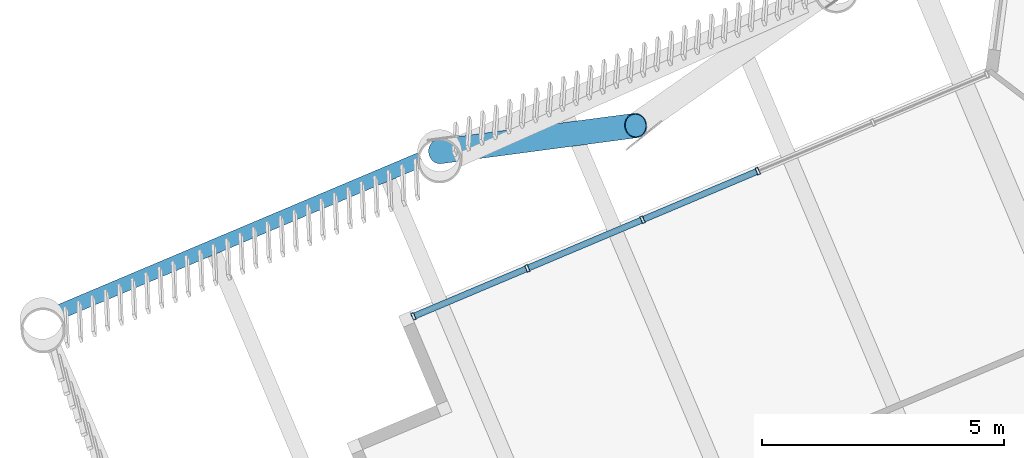
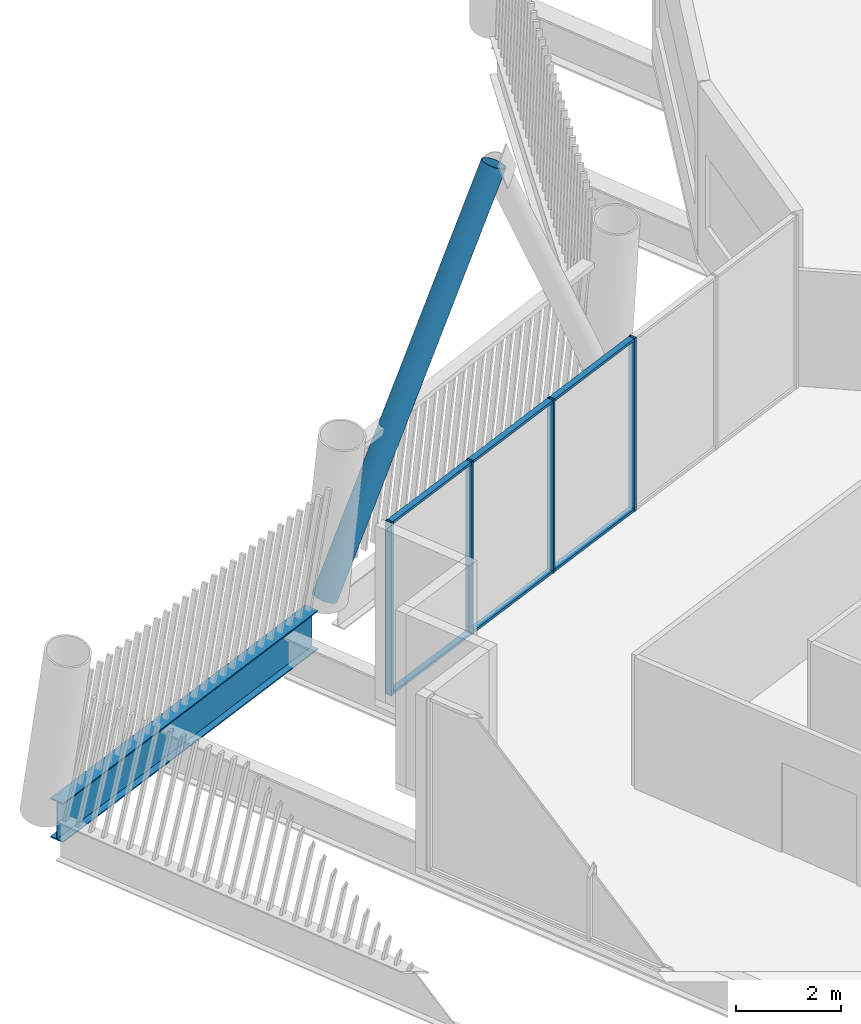
# One storey, part 12 of 35: 11 members, 1 beam, 1 element without a shape of its own.
"""IFC4 building model written with IfcOpenShell, lengths in metres."""

from ifc_helpers import new_model, si_unit, direction, frame, origin, origin_2d, place, context, subcontext, project, spatial, hollow_rectangle, hollow_circle, i_section, extrude, material, layer, layer_set, material_profile, profile_set, type_object, element, aggregate, save


model = new_model("IFC4")

# Units and contexts
model_context = context("Model", 3, precision=1e-05, world=origin(), true_north=direction((0.0, 1.0)))
body_context = subcontext(model_context, "Body", "Model", "MODEL_VIEW")
ifc_project = project(units=[si_unit("LENGTHUNIT", "METRE"), si_unit("AREAUNIT", "SQUARE_METRE"), si_unit("VOLUMEUNIT", "CUBIC_METRE"), si_unit("PLANEANGLEUNIT", "RADIAN"), si_unit("MASSUNIT", "GRAM", prefix="KILO")], contexts=[model_context])

# Site, building, storey
site_placement = place(None, origin())
site = spatial("IfcSite", under=ifc_project, at=site_placement, CompositionType="ELEMENT")
building_placement = place(site_placement, origin())
building = spatial("IfcBuilding", under=site, at=building_placement, Name="Tarsis Ring Headquarters", CompositionType="ELEMENT")
storey_placement = place(building_placement, frame((0.0, 0.0, 377.60009765625)))
storey = spatial("IfcBuildingStorey", under=building, at=storey_placement, Name="L89", CompositionType="ELEMENT", Elevation=377.60009765625)

# Curtain wall, members
ifc_material_1 = material(Name="Aluminium curtain wall", Category="aluminium")
ifc_layer = layer(ifc_material_1, 0.14990234375)
ifc_layer_set = layer_set([ifc_layer], Name="Curtain wall tower unit")
curtain_wall_type = type_object("IfcCurtainWallType", Name="Curtain wall tower unit", PredefinedType="NOTDEFINED", material=ifc_layer_set)
curtain_wall_placement = place(storey_placement, origin())
curtain_wall = element("IfcCurtainWall", 1, at=curtain_wall_placement, inside=storey, type_object=curtain_wall_type, Name="Curtain wall L89-31", PredefinedType="NOTDEFINED")
ifc_material_2 = material(Name="Aluminium mullion", Category="aluminium")
ifc_material_profile_1 = material_profile(ifc_material_2, hollow_rectangle(XDim=0.14990234375, YDim=0.06005859375, WallThickness=0.0048828125, at=origin_2d()), Name="RHS 150x60x5")
ifc_profile_set_1 = profile_set([ifc_material_profile_1], Name="Aluminium mullion")
member_type_1 = type_object("IfcMemberType", Name="Curtain wall mullion tower unit RHS 150x60x5", PredefinedType="MULLION", material=ifc_profile_set_1)
member_1_placement = place(storey_placement, frame((-30.422607421875, 0.050537109375, 0.0), z_axis=(0.0, 0.0, 1.0), x_axis=(0.388802460899, -0.921321141838, 0.0)))
member_1 = element("IfcMember", 2, at=member_1_placement, type_object=member_type_1, Name="CW-T mullion 3", PredefinedType="MULLION", context=body_context, shape_type="SweptSolid", body=[
    extrude(hollow_rectangle(XDim=0.14990234375, YDim=0.06005859375, WallThickness=0.0048828125, at=origin_2d()), origin(), (0.0, 0.0, 1.0), 4.039794921875),
])
member_2_placement = place(storey_placement, frame((-32.7998046875, -0.95263671875, 0.0), z_axis=(0.0, 0.0, 1.0), x_axis=(0.388802460899, -0.921321141838, 0.0)))
member_2 = element("IfcMember", 3, at=member_2_placement, type_object=member_type_1, Name="CW-T mullion 4", PredefinedType="MULLION", context=body_context, shape_type="SweptSolid", body=[
    extrude(hollow_rectangle(XDim=0.14990234375, YDim=0.06005859375, WallThickness=0.0048828125, at=origin_2d()), origin(), (0.0, 0.0, 1.0), 4.039794921875),
])
member_3_placement = place(storey_placement, frame((-35.177001953125, -1.955810546875, 0.0), z_axis=(0.0, 0.0, 1.0), x_axis=(0.388802460899, -0.921321141838, 0.0)))
member_3 = element("IfcMember", 4, at=member_3_placement, type_object=member_type_1, Name="CW-T mullion 5", PredefinedType="MULLION", context=body_context, shape_type="SweptSolid", body=[
    extrude(hollow_rectangle(XDim=0.14990234375, YDim=0.06005859375, WallThickness=0.0048828125, at=origin_2d()), origin(), (0.0, 0.0, 1.0), 4.039794921875),
])
member_4_placement = place(storey_placement, frame((-37.526611328125, -2.947265625, 0.0), z_axis=(0.0, 0.0, 1.0), x_axis=(0.388802460899, -0.921321141838, 0.0)))
member_4 = element("IfcMember", 5, at=member_4_placement, type_object=member_type_1, Name="CW-T mullion 6", PredefinedType="MULLION", context=body_context, shape_type="SweptSolid", body=[
    extrude(hollow_rectangle(XDim=0.14990234375, YDim=0.06005859375, WallThickness=0.0048828125, at=origin_2d()), origin(), (0.0, 0.0, 1.0), 4.039794921875),
])
ifc_material_3 = material(Name="Aluminium transom", Category="aluminium")
ifc_material_profile_2 = material_profile(ifc_material_3, hollow_rectangle(XDim=0.1298828125, YDim=0.06005859375, WallThickness=0.0048828125, at=origin_2d()), Name="RHS 130x60x5")
ifc_profile_set_2 = profile_set([ifc_material_profile_2], Name="Aluminium transom")
member_type_2 = type_object("IfcMemberType", Name="Curtain wall transom tower unit RHS 130x60x5", PredefinedType="USERDEFINED", material=ifc_profile_set_2)
member_5_placement = place(storey_placement, frame((-30.4501953125, 0.0390625, 0.02978515625), z_axis=(-0.921310488371, -0.388827704797, 0.0), x_axis=(0.388827704797, -0.921310488371, 0.0)))
member_5 = element("IfcMember", 6, at=member_5_placement, type_object=member_type_2, Name="CW-T transom 3.1", ObjectType="TRANSOM", PredefinedType="USERDEFINED", context=body_context, shape_type="SweptSolid", body=[
    extrude(hollow_rectangle(XDim=0.1298828125, YDim=0.06005859375, WallThickness=0.0048828125, at=origin_2d()), origin(), (0.0, 0.0, 1.0), 2.520263671875),
])
member_6_placement = place(storey_placement, frame((-30.4501953125, 0.0390625, 4.010009765625), z_axis=(-0.921310488371, -0.388827704797, 0.0), x_axis=(0.388827704797, -0.921310488371, 0.0)))
member_6 = element("IfcMember", 7, at=member_6_placement, type_object=member_type_2, Name="CW-T transom 3.2", ObjectType="TRANSOM", PredefinedType="USERDEFINED", context=body_context, shape_type="SweptSolid", body=[
    extrude(hollow_rectangle(XDim=0.1298828125, YDim=0.06005859375, WallThickness=0.0048828125, at=origin_2d()), origin(), (0.0, 0.0, 1.0), 2.520263671875),
])
member_7_placement = place(storey_placement, frame((-32.827392578125, -0.96435546875, 0.02978515625), z_axis=(-0.921345187093, -0.388745477427, 0.0), x_axis=(0.388745477427, -0.921345187093, 0.0)))
member_7 = element("IfcMember", 8, at=member_7_placement, type_object=member_type_2, Name="CW-T transom 4.1", ObjectType="TRANSOM", PredefinedType="USERDEFINED", context=body_context, shape_type="SweptSolid", body=[
    extrude(hollow_rectangle(XDim=0.1298828125, YDim=0.06005859375, WallThickness=0.0048828125, at=origin_2d()), origin(), (0.0, 0.0, 1.0), 2.520263671875),
])
member_8_placement = place(storey_placement, frame((-32.827392578125, -0.96435546875, 4.010009765625), z_axis=(-0.921345187093, -0.388745477427, 0.0), x_axis=(0.388745477427, -0.921345187093, 0.0)))
member_8 = element("IfcMember", 9, at=member_8_placement, type_object=member_type_2, Name="CW-T transom 4.2", ObjectType="TRANSOM", PredefinedType="USERDEFINED", context=body_context, shape_type="SweptSolid", body=[
    extrude(hollow_rectangle(XDim=0.1298828125, YDim=0.06005859375, WallThickness=0.0048828125, at=origin_2d()), origin(), (0.0, 0.0, 1.0), 2.520263671875),
])
member_9_placement = place(storey_placement, frame((-35.20458984375, -1.967529296875, 0.02978515625), z_axis=(-0.921356480327, -0.388718710842, 0.0), x_axis=(0.388718710842, -0.921356480327, 0.0)))
member_9 = element("IfcMember", 10, at=member_9_placement, type_object=member_type_2, Name="CW-T transom 5.1", ObjectType="TRANSOM", PredefinedType="USERDEFINED", context=body_context, shape_type="SweptSolid", body=[
    extrude(hollow_rectangle(XDim=0.1298828125, YDim=0.06005859375, WallThickness=0.0048828125, at=origin_2d()), origin(), (0.0, 0.0, 1.0), 2.490234375),
])
member_10_placement = place(storey_placement, frame((-35.20458984375, -1.967529296875, 4.010009765625), z_axis=(-0.921356480327, -0.388718710842, 0.0), x_axis=(0.388718710842, -0.921356480327, 0.0)))
member_10 = element("IfcMember", 11, at=member_10_placement, type_object=member_type_2, Name="CW-T transom 5.2", ObjectType="TRANSOM", PredefinedType="USERDEFINED", context=body_context, shape_type="SweptSolid", body=[
    extrude(hollow_rectangle(XDim=0.1298828125, YDim=0.06005859375, WallThickness=0.0048828125, at=origin_2d()), origin(), (0.0, 0.0, 1.0), 2.490234375),
])
aggregate(curtain_wall, [member_1, member_2, member_3, member_4, member_5, member_6, member_7, member_8, member_9, member_10])

# Member
ifc_material_4 = material(Name="Structural steel S355", Category="steel")
ifc_material_profile_3 = material_profile(ifc_material_4, hollow_circle(Radius=0.25390625, WallThickness=0.02001953125, at=origin_2d()), Name="CHS 508x20")
ifc_profile_set_3 = profile_set([ifc_material_profile_3], Name="Structural steel S355")
member_type_3 = type_object("IfcMemberType", Name="XD X brace CHS 508x20", PredefinedType="BRACE", material=ifc_profile_set_3)
member_11_placement = place(storey_placement, frame((-36.985107421875, 0.4560546875, 0.0), z_axis=(0.432998293926, 0.057363580513, 0.89956761674), x_axis=(-0.13133243253, 0.99133838429, 0.0)))
element("IfcMember", 12, at=member_11_placement, inside=storey, type_object=member_type_3, Name="X brace XD2", PredefinedType="BRACE", context=body_context, shape_type="SweptSolid", body=[
    extrude(hollow_circle(Radius=0.25390625, WallThickness=0.02001953125, at=origin_2d()), origin(), (0.0, 0.0, 1.0), 9.337646484375),
])

# Beam
ifc_material_profile_4 = material_profile(ifc_material_4, i_section(OverallWidth=0.3046875, OverallDepth=0.91943359375, WebThickness=0.017333984375, FlangeThickness=0.02783203125, at=origin_2d()), Name="W36x170")
ifc_profile_set_4 = profile_set([ifc_material_profile_4], Name="Structural steel S355")
beam_type = type_object("IfcBeamType", Name="XG Ring girder W36x170", PredefinedType="BEAM", material=ifc_profile_set_4)
beam_placement = place(storey_placement, frame((-37.364013671875, 0.296142578125, -0.4599609375), z_axis=(-0.92131596168, -0.388814735772, 0.0), x_axis=(0.388814735772, -0.92131596168, 0.0)))
element("IfcBeam", 13, at=beam_placement, inside=storey, type_object=beam_type, Name="Ring girder XG4", PredefinedType="BEAM", context=body_context, shape_type="SweptSolid", body=[
    extrude(i_section(OverallWidth=0.3046875, OverallDepth=0.91943359375, WebThickness=0.017333984375, FlangeThickness=0.02783203125, at=origin_2d()), origin(), (0.0, 0.0, 1.0), 8.079345703125),
])

save(model, "model.ifc")
